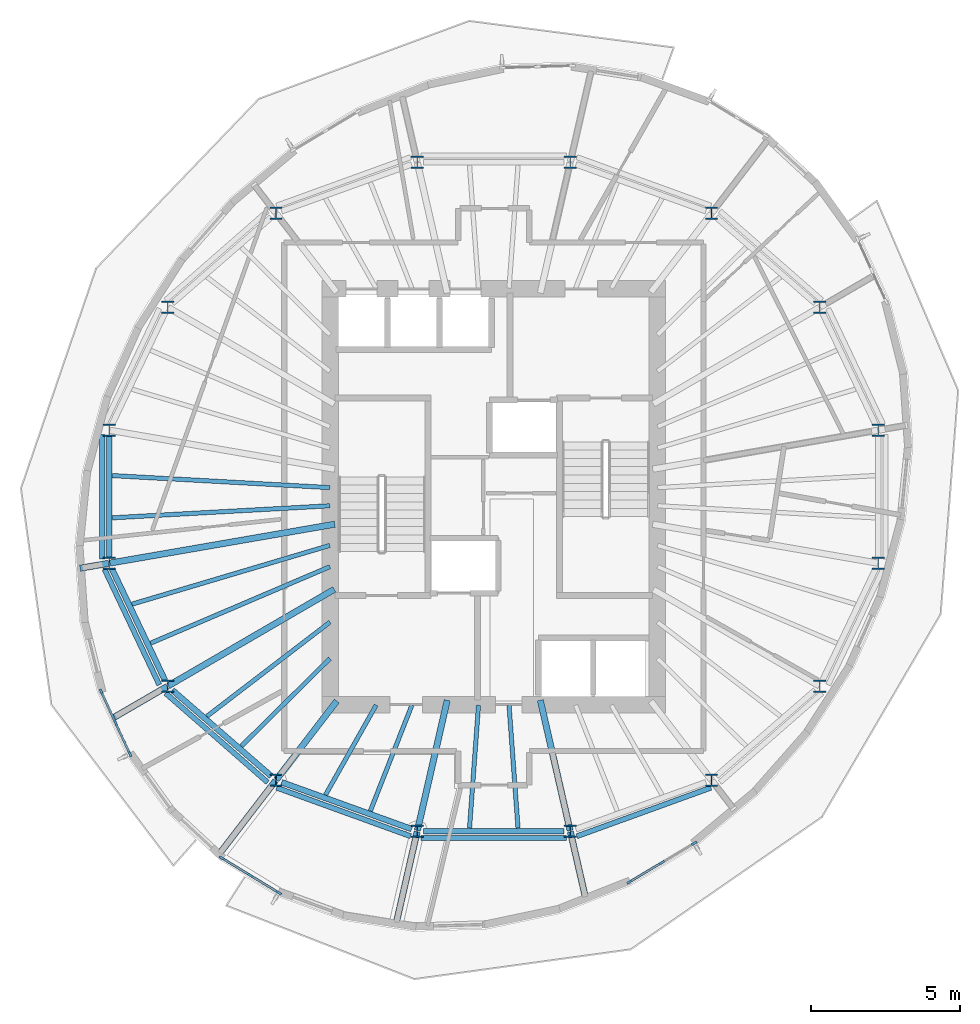
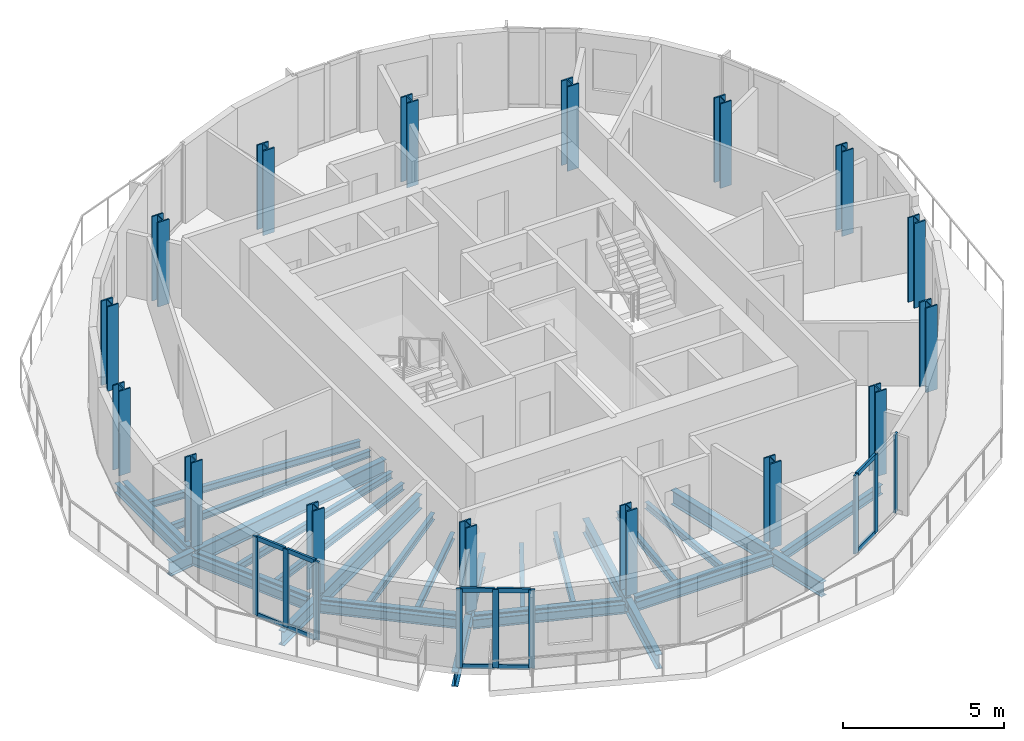
# One storey, part 1 of 11: 31 beams, 19 members, 16 columns, 3 elements without a shape of their own.
"""IFC4 building model written with IfcOpenShell, lengths in metres."""

import ifcopenshell
import ifcopenshell.guid

model = None  # the IFC model being written
_history = None  # IfcOwnerHistory: only IFC2X3 demands one
_inside = {}  # id of a spatial element -> (the spatial element, [elements in it])
_under = {}  # id of a project, library or spatial element -> (it, [spatial elements below it])
_declared = {}  # id of a project -> (the project, [libraries it declares])
_typed = {}  # id of a type object -> (the type object, [elements of that type])
_made_of = {}  # id of a material, layer set ... -> (it, [elements and type objects made of it])


def new_model(schema):
    """Start an empty IFC model of exactly this schema.

    Asked for "IFC4X3", IfcOpenShell would pick the latest addendum, in which some entities
    have other attributes; the version numbers below select the first issue.
    IFC2X3 requires an IfcOwnerHistory on every rooted entity: one is made here for all.
    """
    global model, _history
    if schema == "IFC4X3":
        model = ifcopenshell.file(schema_version=(4, 3, 0, 0))
    else:
        model = ifcopenshell.file(schema=schema)
    _inside.clear()
    _under.clear()
    _declared.clear()
    _typed.clear()
    _made_of.clear()
    _history = None
    if model.schema == "IFC2X3":
        org = make("IfcOrganization", Name="unknown")
        user = make(
            "IfcPersonAndOrganization",
            ThePerson=make("IfcPerson", FamilyName="unknown"),
            TheOrganization=org,
        )
        app = make(
            "IfcApplication",
            ApplicationDeveloper=org,
            Version="unknown",
            ApplicationFullName="unknown",
            ApplicationIdentifier="unknown",
        )
        _history = make(
            "IfcOwnerHistory",
            OwningUser=user,
            OwningApplication=app,
            ChangeAction="ADDED",
            CreationDate=0,
        )
    return model


def make(cls, **values):
    """One entity of the class cls with the attributes given. An attribute that is None is left unset."""
    return model.create_entity(
        cls, **{name: value for name, value in values.items() if value is not None}
    )


def rooted(cls, **values):
    """An entity with a GlobalId (a new one), such as an element, a storey or a relation."""
    return make(cls, GlobalId=ifcopenshell.guid.new(), OwnerHistory=_history, **values)


def si_unit(unit_type, name, prefix=None):
    """IfcSIUnit, for example si_unit("LENGTHUNIT", "METRE", prefix="MILLI")."""
    return make("IfcSIUnit", UnitType=unit_type, Prefix=prefix, Name=name)


def assignment(units):
    """IfcUnitAssignment: the units of a project."""
    return None if units is None else make("IfcUnitAssignment", Units=units)


def point(xyz):
    """IfcCartesianPoint."""
    return None if xyz is None else make("IfcCartesianPoint", Coordinates=xyz)


def direction(xyz):
    """IfcDirection."""
    return None if xyz is None else make("IfcDirection", DirectionRatios=xyz)


def frame(location, z_axis=None, x_axis=None):
    """IfcAxis2Placement3D, a coordinate frame: its origin and axes. An axis left out is left unset."""
    return make(
        "IfcAxis2Placement3D",
        Location=point(location),
        Axis=direction(z_axis),
        RefDirection=direction(x_axis),
    )


def frame_2d(location, x_axis=None):
    """IfcAxis2Placement2D, a coordinate frame in the plane: its origin and x axis."""
    return make(
        "IfcAxis2Placement2D", Location=point(location), RefDirection=direction(x_axis)
    )


def origin():
    """The frame at (0, 0, 0) with its axes left unset."""
    return frame((0.0, 0.0, 0.0))


def origin_2d():
    """The frame at (0, 0) in the plane with its x axis left unset."""
    return frame_2d((0.0, 0.0))


def place(relative_to, where):
    """IfcLocalPlacement: puts the frame where relative to a parent placement (None: the world)."""
    return make(
        "IfcLocalPlacement", PlacementRelTo=relative_to, RelativePlacement=where
    )


def context(
    kind, dimensions, precision=None, world=None, true_north=None, identifier=None
):
    """IfcGeometricRepresentationContext, for example the 3D "Model" context."""
    return make(
        "IfcGeometricRepresentationContext",
        ContextIdentifier=identifier,
        ContextType=kind,
        CoordinateSpaceDimension=dimensions,
        Precision=precision,
        WorldCoordinateSystem=world,
        TrueNorth=true_north,
    )


def subcontext(parent, identifier, kind, view, scale=None):
    """IfcGeometricRepresentationSubContext, for example "Body" below "Model"."""
    return make(
        "IfcGeometricRepresentationSubContext",
        ContextIdentifier=identifier,
        ContextType=kind,
        ParentContext=parent,
        TargetScale=scale,
        TargetView=view,
    )


def project(units=None, contexts=None):
    """IfcProject with its units and contexts."""
    return rooted(
        "IfcProject",
        Name="project",
        RepresentationContexts=contexts,
        UnitsInContext=assignment(units),
    )


def spatial(cls, under=None, at=None, **own):
    """A site, building, storey or space (cls), placed at a placement, below another one or the project."""
    s = rooted(cls, ObjectPlacement=at, **own)
    if under is not None:
        _under.setdefault(under.id(), (under, []))[1].append(s)
    return s


def profile(cls, at=None, kind="AREA", **sizes):
    """A parametric profile (cls). Its sizes go by their IFC names, for example OverallWidth=200.0."""
    return make(cls, ProfileType=kind, Position=at, **sizes)


def rectangle(**sizes):
    """IfcRectangleProfileDef."""
    return profile("IfcRectangleProfileDef", **sizes)


def i_section(**sizes):
    """IfcIShapeProfileDef."""
    return profile("IfcIShapeProfileDef", **sizes)


def extrude(swept, where, along, depth):
    """IfcExtrudedAreaSolid: the profile swept, set in the frame where, extruded along a direction by depth."""
    return make(
        "IfcExtrudedAreaSolid",
        SweptArea=swept,
        Position=where,
        ExtrudedDirection=direction(along),
        Depth=depth,
    )


def shape(context_of_items, identifier, shape_type, items):
    """IfcShapeRepresentation: the items that make up one representation, for example the "Body"."""
    return make(
        "IfcShapeRepresentation",
        ContextOfItems=context_of_items,
        RepresentationIdentifier=identifier,
        RepresentationType=shape_type,
        Items=items,
    )


def material(Name=None, Category=None):
    """IfcMaterial."""
    return make("IfcMaterial", Name=Name, Category=Category)


def material_profile(
    of_material, cross_section, Name=None, Category=None, Priority=None
):
    """IfcMaterialProfile: a cross section and its material."""
    return make(
        "IfcMaterialProfile",
        Name=Name,
        Material=of_material,
        Profile=cross_section,
        Priority=Priority,
        Category=Category,
    )


def profile_set(profiles, Name=None, composite=None):
    """IfcMaterialProfileSet."""
    return make(
        "IfcMaterialProfileSet",
        Name=Name,
        MaterialProfiles=profiles,
        CompositeProfile=composite,
    )


def made_of(thing, what):
    """Note that an element or type object is made of a material, layer set ...; save() writes the relation."""
    if what is not None:
        _made_of.setdefault(what.id(), (what, []))[1].append(thing)
    return thing


def type_object(cls, material=None, **own):
    """A type object (cls), such as IfcWallType, which elements share."""
    return made_of(rooted(cls, **own), material)


def element(
    cls,
    number,
    at=None,
    inside=None,
    cuts=None,
    type_object=None,
    material=None,
    context=None,
    identifier="Body",
    shape_type=None,
    held_by="IfcProductDefinitionShape",
    body=None,
    shapes=None,
    **own,
):
    """One element of the class cls, such as IfcWall. Its Tag is "e" and its number.

    at: its placement. inside: the storey or other place that contains it. cuts: it is an
    opening in that element (IfcRelVoidsElement). A single representation is given by context,
    identifier, shape_type and body (its items); several are given by shapes. held_by: the class
    of the entity that holds the representations. save() writes the other relations.
    """
    e = rooted(cls, Tag="e%d" % number, ObjectPlacement=at, **own)
    if body is not None:
        shapes = [shape(context, identifier, shape_type, body)]
    if shapes is not None:
        e.Representation = make(held_by, Representations=shapes)
    if inside is not None:
        _inside.setdefault(inside.id(), (inside, []))[1].append(e)
    if cuts is not None:
        rooted(
            "IfcRelVoidsElement", RelatingBuildingElement=cuts, RelatedOpeningElement=e
        )
    if type_object is not None:
        _typed.setdefault(type_object.id(), (type_object, []))[1].append(e)
    return made_of(e, material)


def aggregate(whole, parts):
    """IfcRelAggregates: a whole, such as a stair, and the parts it consists of."""
    return rooted("IfcRelAggregates", RelatingObject=whole, RelatedObjects=parts)


def save(model, path):
    """Write the relations noted so far, then the file.

    IfcRelAggregates (storeys below a building ...), IfcRelContainedInSpatialStructure (elements
    in a storey), IfcRelDefinesByType, IfcRelAssociatesMaterial and IfcRelDeclares: one each for
    every whole, place, type object, material and project.
    """
    for whole, parts in _under.values():
        aggregate(whole, parts)
    for where, things in _inside.values():
        rooted(
            "IfcRelContainedInSpatialStructure",
            RelatedElements=things,
            RelatingStructure=where,
        )
    for kind, things in _typed.values():
        rooted("IfcRelDefinesByType", RelatedObjects=things, RelatingType=kind)
    for what, things in _made_of.values():
        rooted("IfcRelAssociatesMaterial", RelatedObjects=things, RelatingMaterial=what)
    for by, libraries in _declared.values():
        rooted("IfcRelDeclares", RelatingContext=by, RelatedDefinitions=libraries)
    model.write(path)


model = new_model("IFC4")

# Units and contexts
model_context = context("Model", 3, precision=1e-05, world=origin(), true_north=direction((0.0, 1.0)))
body_context = subcontext(model_context, "Body", "Model", "MODEL_VIEW")
ifc_project = project(units=[si_unit("LENGTHUNIT", "METRE"), si_unit("AREAUNIT", "SQUARE_METRE"), si_unit("VOLUMEUNIT", "CUBIC_METRE"), si_unit("PLANEANGLEUNIT", "RADIAN"), si_unit("MASSUNIT", "GRAM", prefix="KILO")], contexts=[model_context])

# Site, building, storey
site_placement = place(None, origin())
site = spatial("IfcSite", under=ifc_project, at=site_placement, CompositionType="ELEMENT")
building_placement = place(site_placement, origin())
building = spatial("IfcBuilding", under=site, at=building_placement, Name="Veldorim Arch Residences", CompositionType="ELEMENT")
storey_placement = place(building_placement, frame((0.0, 0.0, 211.0400390625)))
storey = spatial("IfcBuildingStorey", under=building, at=storey_placement, Name="L63", CompositionType="ELEMENT", Elevation=211.0400390625)

# Columns
ifc_material_1 = material(Name="Steel S460", Category="steel")
ifc_material_profile_1 = material_profile(ifc_material_1, i_section(OverallWidth=0.406982421875, OverallDepth=0.4189453125, WebThickness=0.030517578125, FlangeThickness=0.04931640625, at=origin_2d()), Name="UC356x406x393")
ifc_profile_set_1 = profile_set([ifc_material_profile_1], Name="Steel S460")
column_type = type_object("IfcColumnType", Name="Structural Column UC356x406x393", PredefinedType="COLUMN", material=ifc_profile_set_1)
for number, where, z_axis, x_axis, name in (
    (1, (44.9462890625, 26.239501953125, 0.0), (0.0, 0.0, 1.0), (1.0, 0.0, 0.0), "L63 TC-Z4-01 perimeter column"),
    (2, (42.975341796875, 30.3779296875, 0.0), (0.0, 0.0, 1.0), (1.0, 0.0, 0.0), "L63 TC-Z4-02 perimeter column"),
    (3, (39.33349609375, 33.54541015625, 0.0), (0.0, 0.0, 1.0), (1.0, 0.0, 0.0), "L63 TC-Z4-03 perimeter column"),
    (4, (34.5751953125, 35.259521484375, 0.0), (0.0, 0.0, 1.0), (1.0, 0.0, 0.0), "L63 TC-Z4-04 perimeter column"),
    (5, (29.4248046875, 35.259521484375, 0.0), (0.0, 0.0, 1.0), (1.0, 0.0, 0.0), "L63 TC-Z4-05 perimeter column"),
    (6, (24.66650390625, 33.54541015625, 0.0), (0.0, 0.0, 1.0), (1.0, 0.0, 0.0), "L63 TC-Z4-06 perimeter column"),
    (7, (21.024658203125, 30.3779296875, 0.0), (0.0, 0.0, 1.0), (1.0, 0.0, 0.0), "L63 TC-Z4-07 perimeter column"),
    (8, (19.0537109375, 26.239501953125, 0.0), (0.0, 0.0, 1.0), (1.0, 0.0, 0.0), "L63 TC-Z4-08 perimeter column"),
    (9, (19.0537109375, 21.760498046875, 0.0), (0.0, 0.0, 1.0), (1.0, 0.0, 0.0), "L63 TC-Z4-09 perimeter column"),
    (10, (21.024658203125, 17.6220703125, 0.0), (0.0, 0.0, 1.0), (1.0, 0.0, 0.0), "L63 TC-Z4-10 perimeter column"),
    (11, (24.66650390625, 14.45458984375, 0.0), (0.0, 0.0, 1.0), (1.0, 0.0, 0.0), "L63 TC-Z4-11 perimeter column"),
    (12, (29.4248046875, 12.740478515625, 0.0), (0.0, 0.0, 1.0), (1.0, 0.0, 0.0), "L63 TC-Z4-12 perimeter column"),
    (13, (34.5751953125, 12.740478515625, 0.0), (0.0, 0.0, 1.0), (1.0, 0.0, 0.0), "L63 TC-Z4-13 perimeter column"),
    (14, (39.33349609375, 14.45458984375, 0.0), (0.0, 0.0, 1.0), (1.0, 0.0, 0.0), "L63 TC-Z4-14 perimeter column"),
    (15, (42.975341796875, 17.6220703125, 0.0), (0.0, 0.0, 1.0), (1.0, 0.0, 0.0), "L63 TC-Z4-15 perimeter column"),
    (16, (44.9462890625, 21.760498046875, 0.0), (0.0, 0.0, 1.0), (1.0, 0.0, 0.0), "L63 TC-Z4-16 perimeter column"),
):
    element("IfcColumn", number, at=place(storey_placement, frame(where, z_axis=z_axis, x_axis=x_axis)), inside=storey, type_object=column_type, Name=name, PredefinedType="COLUMN", context=body_context, shape_type="SweptSolid", body=[
        extrude(i_section(OverallWidth=0.406982421875, OverallDepth=0.4189453125, WebThickness=0.030517578125, FlangeThickness=0.04931640625, at=origin_2d()), origin(), (0.0, 0.0, 1.0), 3.199951171875),
    ])

# Beams
ifc_material_2 = material(Name="Steel S355", Category="steel")
ifc_material_profile_2 = material_profile(ifc_material_2, i_section(OverallWidth=0.2119140625, OverallDepth=0.54443359375, WebThickness=0.0126953125, FlangeThickness=0.021240234375, at=origin_2d()), Name="UB533x210x122")
ifc_profile_set_2 = profile_set([ifc_material_profile_2], Name="Steel S355")
beam_type_1 = type_object("IfcBeamType", Name="Structural Steel Beam UB533x210x122", PredefinedType="BEAM", material=ifc_profile_set_2)
beam_1_placement = place(storey_placement, frame((26.647705078125, 23.07421875, -0.512451171875), z_axis=(-0.985364974081, -0.170457818401, 0.0), x_axis=(0.170457818401, -0.985364974081, 0.0)))
element("IfcBeam", 17, at=beam_1_placement, inside=storey, type_object=beam_type_1, Name="L63 radial floor girder 09", PredefinedType="BEAM", context=body_context, shape_type="SweptSolid", body=[
    extrude(i_section(OverallWidth=0.2119140625, OverallDepth=0.54443359375, WebThickness=0.0126953125, FlangeThickness=0.021240234375, at=origin_2d()), origin(), (0.0, 0.0, 1.0), 7.68701171875),
])
beam_2_placement = place(storey_placement, frame((19.033935546875, 21.757080078125, -0.512451171875), z_axis=(-0.985356152623, -0.170508804723, 0.0), x_axis=(0.170508804723, -0.985356152623, 0.0)))
element("IfcBeam", 18, at=beam_2_placement, inside=storey, type_object=beam_type_1, Name="L63 radial edge cantilever girder 09", PredefinedType="BEAM", context=body_context, shape_type="SweptSolid", body=[
    extrude(i_section(OverallWidth=0.2119140625, OverallDepth=0.54443359375, WebThickness=0.0126953125, FlangeThickness=0.021240234375, at=origin_2d()), origin(), (0.0, 0.0, 1.0), 0.97802734375),
])
beam_3_placement = place(storey_placement, frame((26.629638671875, 20.87939453125, -0.512451171875), z_axis=(-0.864595736304, -0.502468121142, 0.0), x_axis=(0.502468121142, -0.864595736304, 0.0)))
element("IfcBeam", 19, at=beam_3_placement, inside=storey, type_object=beam_type_1, Name="L63 radial floor girder 10", PredefinedType="BEAM", context=body_context, shape_type="SweptSolid", body=[
    extrude(i_section(OverallWidth=0.2119140625, OverallDepth=0.54443359375, WebThickness=0.0126953125, FlangeThickness=0.021240234375, at=origin_2d()), origin(), (0.0, 0.0, 1.0), 6.462646484375),
])
beam_4_placement = place(storey_placement, frame((21.00732421875, 17.612060546875, -0.512451171875), z_axis=(-0.864602636906, -0.502456247105, 0.0), x_axis=(0.502456247105, -0.864602636906, 0.0)))
element("IfcBeam", 20, at=beam_4_placement, inside=storey, type_object=beam_type_1, Name="L63 radial edge cantilever girder 10", PredefinedType="BEAM", context=body_context, shape_type="SweptSolid", body=[
    extrude(i_section(OverallWidth=0.2119140625, OverallDepth=0.54443359375, WebThickness=0.0126953125, FlangeThickness=0.021240234375, at=origin_2d()), origin(), (0.0, 0.0, 1.0), 2.09326171875),
])
beam_5_placement = place(storey_placement, frame((26.71337890625, 17.118896484375, -0.512451171875), z_axis=(-0.609258442308, -0.792971721108, 0.0), x_axis=(0.792971721108, -0.609258442308, 0.0)))
element("IfcBeam", 21, at=beam_5_placement, inside=storey, type_object=beam_type_1, Name="L63 radial floor girder 11", PredefinedType="BEAM", context=body_context, shape_type="SweptSolid", body=[
    extrude(i_section(OverallWidth=0.2119140625, OverallDepth=0.54443359375, WebThickness=0.0126953125, FlangeThickness=0.021240234375, at=origin_2d()), origin(), (0.0, 0.0, 1.0), 3.339599609375),
])
beam_6_placement = place(storey_placement, frame((24.654296875, 14.438720703125, -0.512451171875), z_axis=(-0.609220133564, -0.793001153126, 0.0), x_axis=(0.793001153126, -0.609220133564, 0.0)))
element("IfcBeam", 22, at=beam_6_placement, inside=storey, type_object=beam_type_1, Name="L63 radial edge cantilever girder 11", PredefinedType="BEAM", context=body_context, shape_type="SweptSolid", body=[
    extrude(i_section(OverallWidth=0.2119140625, OverallDepth=0.54443359375, WebThickness=0.0126953125, FlangeThickness=0.021240234375, at=origin_2d()), origin(), (0.0, 0.0, 1.0), 3.151123046875),
])
beam_7_placement = place(storey_placement, frame((30.432373046875, 17.146240234375, -0.512451171875), z_axis=(-0.222952976993, -0.97482920045, 0.0), x_axis=(0.97482920045, -0.222952976993, 0.0)))
element("IfcBeam", 23, at=beam_7_placement, inside=storey, type_object=beam_type_1, Name="L63 radial floor girder 12", PredefinedType="BEAM", context=body_context, shape_type="SweptSolid", body=[
    extrude(i_section(OverallWidth=0.2119140625, OverallDepth=0.54443359375, WebThickness=0.0126953125, FlangeThickness=0.021240234375, at=origin_2d()), origin(), (0.0, 0.0, 1.0), 4.49951171875),
])
beam_8_placement = place(storey_placement, frame((29.42041015625, 12.72119140625, -0.512451171875), z_axis=(-0.22295712551, -0.974828251634, 0.0), x_axis=(0.974828251634, -0.22295712551, 0.0)))
element("IfcBeam", 24, at=beam_8_placement, inside=storey, type_object=beam_type_1, Name="L63 radial edge cantilever girder 12", PredefinedType="BEAM", context=body_context, shape_type="SweptSolid", body=[
    extrude(i_section(OverallWidth=0.2119140625, OverallDepth=0.54443359375, WebThickness=0.0126953125, FlangeThickness=0.021240234375, at=origin_2d()), origin(), (0.0, 0.0, 1.0), 3.206298828125),
])
beam_9_placement = place(storey_placement, frame((33.567626953125, 17.146240234375, -0.512451171875), z_axis=(0.222952976993, -0.97482920045, 0.0), x_axis=(0.97482920045, 0.222952976993, 0.0)))
element("IfcBeam", 25, at=beam_9_placement, inside=storey, type_object=beam_type_1, Name="L63 radial floor girder 13", PredefinedType="BEAM", context=body_context, shape_type="SweptSolid", body=[
    extrude(i_section(OverallWidth=0.2119140625, OverallDepth=0.54443359375, WebThickness=0.0126953125, FlangeThickness=0.021240234375, at=origin_2d()), origin(), (0.0, 0.0, 1.0), 4.49951171875),
])
beam_10_placement = place(storey_placement, frame((34.57958984375, 12.72119140625, -0.512451171875), z_axis=(0.222989981251, -0.974820736475, 0.0), x_axis=(0.974820736475, 0.222989981251, 0.0)))
element("IfcBeam", 26, at=beam_10_placement, inside=storey, type_object=beam_type_1, Name="L63 radial edge cantilever girder 13", PredefinedType="BEAM", context=body_context, shape_type="SweptSolid", body=[
    extrude(i_section(OverallWidth=0.2119140625, OverallDepth=0.54443359375, WebThickness=0.0126953125, FlangeThickness=0.021240234375, at=origin_2d()), origin(), (0.0, 0.0, 1.0), 2.32763671875),
])
ifc_material_3 = material(Name="Steel S355", Category="steel")
ifc_material_profile_3 = material_profile(ifc_material_3, i_section(OverallWidth=0.146484375, OverallDepth=0.256103515625, WebThickness=0.00634765625, FlangeThickness=0.010986328125, at=origin_2d()), Name="UB254x146x37")
ifc_profile_set_3 = profile_set([ifc_material_profile_3], Name="Steel S355")
beam_type_2 = type_object("IfcBeamType", Name="Structural Steel Joist UB254x146x37", PredefinedType="JOIST", material=ifc_profile_set_3)
for number, where, z_axis, x_axis, name in (
    (27, (26.47998046875, 24.3056640625, -0.367919921875), (-0.998472000884, 0.055259962464, 0.0), (-0.055259962464, -0.998472000884, 0.0), "L63 secondary radial floor joist 08-1"),
    (28, (26.47998046875, 23.6943359375, -0.367919921875), (-0.998472000884, -0.055259962464, 0.0), (0.055259962464, -0.998472000884, 0.0), "L63 secondary radial floor joist 08-2"),
):
    element("IfcBeam", number, at=place(storey_placement, frame(where, z_axis=z_axis, x_axis=x_axis)), inside=storey, type_object=beam_type_2, Name=name, PredefinedType="JOIST", context=body_context, shape_type="SweptSolid", body=[
        extrude(i_section(OverallWidth=0.146484375, OverallDepth=0.256103515625, WebThickness=0.00634765625, FlangeThickness=0.010986328125, at=origin_2d()), origin(), (0.0, 0.0, 1.0), 7.33837890625),
    ])
beam_11_placement = place(storey_placement, frame((26.480712890625, 22.360595703125, -0.367919921875), z_axis=(-0.958594432792, -0.284774846889, 0.0), x_axis=(0.284774846889, -0.958594432792, 0.0)))
element("IfcBeam", 29, at=beam_11_placement, inside=storey, type_object=beam_type_2, Name="L63 secondary radial floor joist 09-1", PredefinedType="JOIST", context=body_context, shape_type="SweptSolid", body=[
    extrude(i_section(OverallWidth=0.146484375, OverallDepth=0.256103515625, WebThickness=0.00634765625, FlangeThickness=0.010986328125, at=origin_2d()), origin(), (0.0, 0.0, 1.0), 6.949462890625),
])
beam_12_placement = place(storey_placement, frame((26.481689453125, 21.644287109375, -0.367919921875), z_axis=(-0.919725161652, -0.392562895629, 0.0), x_axis=(0.392562895629, -0.919725161652, 0.0)))
element("IfcBeam", 30, at=beam_12_placement, inside=storey, type_object=beam_type_2, Name="L63 secondary radial floor joist 09-2", PredefinedType="JOIST", context=body_context, shape_type="SweptSolid", body=[
    extrude(i_section(OverallWidth=0.146484375, OverallDepth=0.256103515625, WebThickness=0.00634765625, FlangeThickness=0.010986328125, at=origin_2d()), origin(), (0.0, 0.0, 1.0), 6.5625),
])
beam_13_placement = place(storey_placement, frame((26.484130859375, 19.777099609375, -0.367919921875), z_axis=(-0.794013672216, -0.607899899929, 0.0), x_axis=(0.607899899929, -0.794013672216, 0.0)))
element("IfcBeam", 31, at=beam_13_placement, inside=storey, type_object=beam_type_2, Name="L63 secondary radial floor joist 10-1", PredefinedType="JOIST", context=body_context, shape_type="SweptSolid", body=[
    extrude(i_section(OverallWidth=0.146484375, OverallDepth=0.256103515625, WebThickness=0.00634765625, FlangeThickness=0.010986328125, at=origin_2d()), origin(), (0.0, 0.0, 1.0), 5.217041015625),
])
beam_14_placement = place(storey_placement, frame((26.48583984375, 18.55224609375, -0.367919921875), z_axis=(-0.711396725432, -0.702790650937, 0.0), x_axis=(0.702790650937, -0.711396725432, 0.0)))
element("IfcBeam", 32, at=beam_14_placement, inside=storey, type_object=beam_type_2, Name="L63 secondary radial floor joist 10-2", PredefinedType="JOIST", context=body_context, shape_type="SweptSolid", body=[
    extrude(i_section(OverallWidth=0.146484375, OverallDepth=0.256103515625, WebThickness=0.00634765625, FlangeThickness=0.010986328125, at=origin_2d()), origin(), (0.0, 0.0, 1.0), 4.198486328125),
])
beam_15_placement = place(storey_placement, frame((28.039794921875, 16.982666015625, -0.367919921875), z_axis=(-0.491452469585, -0.870904397818, 0.0), x_axis=(0.870904397818, -0.491452469585, 0.0)))
element("IfcBeam", 33, at=beam_15_placement, inside=storey, type_object=beam_type_2, Name="L63 secondary radial floor joist 11-1", PredefinedType="JOIST", context=body_context, shape_type="SweptSolid", body=[
    extrude(i_section(OverallWidth=0.146484375, OverallDepth=0.256103515625, WebThickness=0.00634765625, FlangeThickness=0.010986328125, at=origin_2d()), origin(), (0.0, 0.0, 1.0), 3.472412109375),
])
beam_16_placement = place(storey_placement, frame((29.24365234375, 16.9814453125, -0.367919921875), z_axis=(-0.365581383042, -0.930779379001, 0.0), x_axis=(0.930779379001, -0.365581383042, 0.0)))
element("IfcBeam", 34, at=beam_16_placement, inside=storey, type_object=beam_type_2, Name="L63 secondary radial floor joist 11-2", PredefinedType="JOIST", context=body_context, shape_type="SweptSolid", body=[
    extrude(i_section(OverallWidth=0.146484375, OverallDepth=0.256103515625, WebThickness=0.00634765625, FlangeThickness=0.010986328125, at=origin_2d()), origin(), (0.0, 0.0, 1.0), 3.83056640625),
])
for number, where, z_axis, x_axis, name in (
    (35, (31.486083984375, 16.97998046875, -0.367919921875), (-0.072985625899, -0.997332992742, 0.0), (0.997332992742, -0.072985625899, 0.0), "L63 secondary radial floor joist 12-1"),
    (36, (32.513916015625, 16.97998046875, -0.367919921875), (0.072985625899, -0.997332992742, 0.0), (0.997332992742, 0.072985625899, 0.0), "L63 secondary radial floor joist 12-2"),
):
    element("IfcBeam", number, at=place(storey_placement, frame(where, z_axis=z_axis, x_axis=x_axis)), inside=storey, type_object=beam_type_2, Name=name, PredefinedType="JOIST", context=body_context, shape_type="SweptSolid", body=[
        extrude(i_section(OverallWidth=0.146484375, OverallDepth=0.256103515625, WebThickness=0.00634765625, FlangeThickness=0.010986328125, at=origin_2d()), origin(), (0.0, 0.0, 1.0), 4.151123046875),
    ])
ifc_material_4 = material(Name="Steel S355", Category="steel")
ifc_material_profile_4 = material_profile(ifc_material_4, i_section(OverallWidth=0.172119140625, OverallDepth=0.35791015625, WebThickness=0.008056640625, FlangeThickness=0.012939453125, at=origin_2d()), Name="UB356x171x57")
ifc_profile_set_4 = profile_set([ifc_material_profile_4], Name="Steel S355")
beam_type_3 = type_object("IfcBeamType", Name="Structural Steel Spandrel UB356x171x57", PredefinedType="SPANDREL", material=ifc_profile_set_4)
beam_17_placement = place(storey_placement, frame((18.817138671875, 26.101318359375, -0.43896484375), z_axis=(0.0, -1.0, 0.0), x_axis=(1.0, 0.0, 0.0)))
element("IfcBeam", 37, at=beam_17_placement, inside=storey, type_object=beam_type_3, Name="L63 perimeter chord spandrel beam 08", PredefinedType="SPANDREL", context=body_context, shape_type="SweptSolid", body=[
    extrude(i_section(OverallWidth=0.172119140625, OverallDepth=0.35791015625, WebThickness=0.008056640625, FlangeThickness=0.012939453125, at=origin_2d()), origin(), (0.0, 0.0, 1.0), 4.20263671875),
])
beam_18_placement = place(storey_placement, frame((18.893798828125, 21.5576171875, -0.43896484375), z_axis=(0.428468601304, -0.903556670994, 0.0), x_axis=(0.903556670994, 0.428468601304, 0.0)))
element("IfcBeam", 38, at=beam_18_placement, inside=storey, type_object=beam_type_3, Name="L63 perimeter chord spandrel beam 09", PredefinedType="SPANDREL", context=body_context, shape_type="SweptSolid", body=[
    extrude(i_section(OverallWidth=0.172119140625, OverallDepth=0.35791015625, WebThickness=0.008056640625, FlangeThickness=0.012939453125, at=origin_2d()), origin(), (0.0, 0.0, 1.0), 4.31005859375),
])
beam_19_placement = place(storey_placement, frame((20.951904296875, 17.3837890625, -0.43896484375), z_axis=(0.752868439096, -0.658171036596, 0.0), x_axis=(0.658171036596, 0.752868439096, 0.0)))
element("IfcBeam", 39, at=beam_19_placement, inside=storey, type_object=beam_type_3, Name="L63 perimeter chord spandrel beam 10", PredefinedType="SPANDREL", context=body_context, shape_type="SweptSolid", body=[
    extrude(i_section(OverallWidth=0.172119140625, OverallDepth=0.35791015625, WebThickness=0.008056640625, FlangeThickness=0.012939453125, at=origin_2d()), origin(), (0.0, 0.0, 1.0), 4.560791015625),
])
beam_20_placement = place(storey_placement, frame((24.688720703125, 14.203369140625, -0.43896484375), z_axis=(0.940178823137, -0.340681347486, 0.0), x_axis=(0.340681347486, 0.940178823137, 0.0)))
element("IfcBeam", 40, at=beam_20_placement, inside=storey, type_object=beam_type_3, Name="L63 perimeter chord spandrel beam 11", PredefinedType="SPANDREL", context=body_context, shape_type="SweptSolid", body=[
    extrude(i_section(OverallWidth=0.172119140625, OverallDepth=0.35791015625, WebThickness=0.008056640625, FlangeThickness=0.012939453125, at=origin_2d()), origin(), (0.0, 0.0, 1.0), 4.80126953125),
])
beam_21_placement = place(storey_placement, frame((29.55029296875, 12.506591796875, -0.43896484375), z_axis=(1.0, 0.0, 0.0), x_axis=(0.0, 1.0, 0.0)))
element("IfcBeam", 41, at=beam_21_placement, inside=storey, type_object=beam_type_3, Name="L63 perimeter chord spandrel beam 12", PredefinedType="SPANDREL", context=body_context, shape_type="SweptSolid", body=[
    extrude(i_section(OverallWidth=0.172119140625, OverallDepth=0.35791015625, WebThickness=0.008056640625, FlangeThickness=0.012939453125, at=origin_2d()), origin(), (0.0, 0.0, 1.0), 4.8994140625),
])
beam_22_placement = place(storey_placement, frame((34.797119140625, 12.567626953125, -0.43896484375), z_axis=(0.940178823137, 0.340681347486, 0.0), x_axis=(-0.340681347486, 0.940178823137, 0.0)))
element("IfcBeam", 42, at=beam_22_placement, inside=storey, type_object=beam_type_3, Name="L63 perimeter chord spandrel beam 13", PredefinedType="SPANDREL", context=body_context, shape_type="SweptSolid", body=[
    extrude(i_section(OverallWidth=0.172119140625, OverallDepth=0.35791015625, WebThickness=0.008056640625, FlangeThickness=0.012939453125, at=origin_2d()), origin(), (0.0, 0.0, 1.0), 4.80126953125),
])
ifc_material_5 = material(Name="Steel S355", Category="steel")
ifc_material_profile_5 = material_profile(ifc_material_5, i_section(OverallWidth=0.19140625, OverallDepth=0.4599609375, WebThickness=0.010009765625, FlangeThickness=0.01611328125, at=origin_2d()), Name="UB457x191x82")
ifc_profile_set_5 = profile_set([ifc_material_profile_5], Name="Steel S355")
beam_type_4 = type_object("IfcBeamType", Name="Structural Steel Spandrel UB457x191x82", PredefinedType="SPANDREL", material=ifc_profile_set_5)
beam_23_placement = place(storey_placement, frame((19.0537109375, 26.0361328125, -0.469970703125), z_axis=(0.0, -1.0, 0.0), x_axis=(1.0, 0.0, 0.0)))
element("IfcBeam", 43, at=beam_23_placement, inside=storey, type_object=beam_type_4, Name="L63 perimeter ring tie beam 08", PredefinedType="SPANDREL", context=body_context, shape_type="SweptSolid", body=[
    extrude(i_section(OverallWidth=0.19140625, OverallDepth=0.4599609375, WebThickness=0.010009765625, FlangeThickness=0.01611328125, at=origin_2d()), origin(), (0.0, 0.0, 1.0), 4.072265625),
])
beam_24_placement = place(storey_placement, frame((19.14111328125, 21.57666015625, -0.469970703125), z_axis=(0.429992574394, -0.902832424078, 0.0), x_axis=(0.902832424078, 0.429992574394, 0.0)))
element("IfcBeam", 44, at=beam_24_placement, inside=storey, type_object=beam_type_4, Name="L63 perimeter ring tie beam 09", PredefinedType="SPANDREL", context=body_context, shape_type="SweptSolid", body=[
    extrude(i_section(OverallWidth=0.19140625, OverallDepth=0.4599609375, WebThickness=0.010009765625, FlangeThickness=0.01611328125, at=origin_2d()), origin(), (0.0, 0.0, 1.0), 4.176513671875),
])
beam_25_placement = place(storey_placement, frame((21.17822265625, 17.488525390625, -0.469970703125), z_axis=(0.754534162517, -0.656260769508, 0.0), x_axis=(0.656260769508, 0.754534162517, 0.0)))
element("IfcBeam", 45, at=beam_25_placement, inside=storey, type_object=beam_type_4, Name="L63 perimeter ring tie beam 10", PredefinedType="SPANDREL", context=body_context, shape_type="SweptSolid", body=[
    extrude(i_section(OverallWidth=0.19140625, OverallDepth=0.4599609375, WebThickness=0.010009765625, FlangeThickness=0.01611328125, at=origin_2d()), origin(), (0.0, 0.0, 1.0), 4.419677734375),
])
beam_26_placement = place(storey_placement, frame((24.85791015625, 14.3857421875, -0.469970703125), z_axis=(0.940819134121, -0.338909068736, 0.0), x_axis=(0.338909068736, 0.940819134121, 0.0)))
element("IfcBeam", 46, at=beam_26_placement, inside=storey, type_object=beam_type_4, Name="L63 perimeter ring tie beam 11", PredefinedType="SPANDREL", context=body_context, shape_type="SweptSolid", body=[
    extrude(i_section(OverallWidth=0.19140625, OverallDepth=0.4599609375, WebThickness=0.010009765625, FlangeThickness=0.01611328125, at=origin_2d()), origin(), (0.0, 0.0, 1.0), 4.650634765625),
])
beam_27_placement = place(storey_placement, frame((29.62841796875, 12.740478515625, -0.469970703125), z_axis=(1.0, 0.0, 0.0), x_axis=(0.0, 1.0, 0.0)))
element("IfcBeam", 47, at=beam_27_placement, inside=storey, type_object=beam_type_4, Name="L63 perimeter ring tie beam 12", PredefinedType="SPANDREL", context=body_context, shape_type="SweptSolid", body=[
    extrude(i_section(OverallWidth=0.19140625, OverallDepth=0.4599609375, WebThickness=0.010009765625, FlangeThickness=0.01611328125, at=origin_2d()), origin(), (0.0, 0.0, 1.0), 4.7431640625),
])

# Curtain wall, members
ifc_material_6 = material(Name="Aluminium", Category="aluminium")
curtain_wall_type = type_object("IfcCurtainWallType", Name="Zone 4 High-Altitude Unitised Curtain Wall", PredefinedType="NOTDEFINED", material=ifc_material_6)
curtain_wall_1_placement = place(storey_placement, origin())
curtain_wall_1 = element("IfcCurtainWall", 48, at=curtain_wall_1_placement, inside=storey, type_object=curtain_wall_type, Name="L63 unitised curtain wall bay 16", PredefinedType="NOTDEFINED")
ifc_material_7 = material(Name="Aluminium", Category="aluminium")
ifc_material_profile_6 = material_profile(ifc_material_7, rectangle(XDim=0.074951171875, YDim=0.195068359375, at=origin_2d()), Name="ALU_MUL_75x195")
ifc_profile_set_6 = profile_set([ifc_material_profile_6], Name="Aluminium")
member_type_1 = type_object("IfcMemberType", Name="Zone 4 High-Altitude Unitised Curtain Wall Mullion 75x195", PredefinedType="MULLION", material=ifc_profile_set_6)
member_1_placement = place(storey_placement, frame((19.751708984375, 15.333251953125, 0.0), z_axis=(0.0, 0.0, 1.0), x_axis=(-0.908400123828, -0.418101919427, 0.0)))
member_1 = element("IfcMember", 49, at=member_1_placement, type_object=member_type_1, Name="CW-Z4 mullion 1", PredefinedType="MULLION", context=body_context, shape_type="SweptSolid", body=[
    extrude(rectangle(XDim=0.074951171875, YDim=0.195068359375, at=origin_2d()), origin(), (0.0, 0.0, 1.0), 2.9599609375),
])
member_2_placement = place(storey_placement, frame((19.268310546875, 16.3837890625, 0.0), z_axis=(0.0, 0.0, 1.0), x_axis=(-0.908400123828, -0.418101919427, 0.0)))
member_2 = element("IfcMember", 50, at=member_2_placement, type_object=member_type_1, Name="CW-Z4 mullion 2", PredefinedType="MULLION", context=body_context, shape_type="SweptSolid", body=[
    extrude(rectangle(XDim=0.074951171875, YDim=0.195068359375, at=origin_2d()), origin(), (0.0, 0.0, 1.0), 2.9599609375),
])
member_3_placement = place(storey_placement, frame((18.78466796875, 17.434326171875, 0.0), z_axis=(0.0, 0.0, 1.0), x_axis=(-0.908400123828, -0.418101919427, 0.0)))
member_3 = element("IfcMember", 51, at=member_3_placement, type_object=member_type_1, Name="CW-Z4 mullion 3", PredefinedType="MULLION", context=body_context, shape_type="SweptSolid", body=[
    extrude(rectangle(XDim=0.074951171875, YDim=0.195068359375, at=origin_2d()), origin(), (0.0, 0.0, 1.0), 2.9599609375),
])

curtain_wall_2_placement = place(storey_placement, origin())
curtain_wall_2 = element("IfcCurtainWall", 52, at=curtain_wall_2_placement, inside=storey, type_object=curtain_wall_type, Name="L63 unitised curtain wall bay 19", PredefinedType="NOTDEFINED")
member_4_placement = place(storey_placement, frame((24.763427734375, 10.665283203125, 0.0), z_axis=(0.0, 0.0, 1.0), x_axis=(-0.520032918989, -0.854146218846, 0.0)))
member_4 = element("IfcMember", 53, at=member_4_placement, type_object=member_type_1, Name="CW-Z4 mullion 1", PredefinedType="MULLION", context=body_context, shape_type="SweptSolid", body=[
    extrude(rectangle(XDim=0.074951171875, YDim=0.195068359375, at=origin_2d()), origin(), (0.0, 0.0, 1.0), 2.9599609375),
])
member_5_placement = place(storey_placement, frame((23.802734375, 11.250244140625, 0.0), z_axis=(0.0, 0.0, 1.0), x_axis=(-0.520032918989, -0.854146218846, 0.0)))
member_5 = element("IfcMember", 54, at=member_5_placement, type_object=member_type_1, Name="CW-Z4 mullion 2", PredefinedType="MULLION", context=body_context, shape_type="SweptSolid", body=[
    extrude(rectangle(XDim=0.074951171875, YDim=0.195068359375, at=origin_2d()), origin(), (0.0, 0.0, 1.0), 2.9599609375),
])
member_6_placement = place(storey_placement, frame((22.842041015625, 11.835205078125, 0.0), z_axis=(0.0, 0.0, 1.0), x_axis=(-0.520032918989, -0.854146218846, 0.0)))
member_6 = element("IfcMember", 55, at=member_6_placement, type_object=member_type_1, Name="CW-Z4 mullion 3", PredefinedType="MULLION", context=body_context, shape_type="SweptSolid", body=[
    extrude(rectangle(XDim=0.074951171875, YDim=0.195068359375, at=origin_2d()), origin(), (0.0, 0.0, 1.0), 2.9599609375),
])

curtain_wall_3_placement = place(storey_placement, origin())
curtain_wall_3 = element("IfcCurtainWall", 56, at=curtain_wall_3_placement, inside=storey, type_object=curtain_wall_type, Name="L63 unitised curtain wall bay 25", PredefinedType="NOTDEFINED")
member_7_placement = place(storey_placement, frame((38.748291015625, 12.3310546875, 0.0), z_axis=(0.0, 0.0, 1.0), x_axis=(0.512816771325, -0.85849808331, 0.0)))
member_7 = element("IfcMember", 57, at=member_7_placement, type_object=member_type_1, Name="CW-Z4 mullion 1", PredefinedType="MULLION", context=body_context, shape_type="SweptSolid", body=[
    extrude(rectangle(XDim=0.074951171875, YDim=0.195068359375, at=origin_2d()), origin(), (0.0, 0.0, 1.0), 2.9599609375),
])
member_8_placement = place(storey_placement, frame((37.659423828125, 11.6806640625, 0.0), z_axis=(0.0, 0.0, 1.0), x_axis=(0.512816771325, -0.85849808331, 0.0)))
member_8 = element("IfcMember", 58, at=member_8_placement, type_object=member_type_1, Name="CW-Z4 mullion 2", PredefinedType="MULLION", context=body_context, shape_type="SweptSolid", body=[
    extrude(rectangle(XDim=0.074951171875, YDim=0.195068359375, at=origin_2d()), origin(), (0.0, 0.0, 1.0), 2.9599609375),
])
member_9_placement = place(storey_placement, frame((36.570556640625, 11.0302734375, 0.0), z_axis=(0.0, 0.0, 1.0), x_axis=(0.512816771325, -0.85849808331, 0.0)))
member_9 = element("IfcMember", 59, at=member_9_placement, type_object=member_type_1, Name="CW-Z4 mullion 3", PredefinedType="MULLION", context=body_context, shape_type="SweptSolid", body=[
    extrude(rectangle(XDim=0.074951171875, YDim=0.195068359375, at=origin_2d()), origin(), (0.0, 0.0, 1.0), 2.9599609375),
])

# Member
ifc_material_8 = material(Name="Aluminium", Category="aluminium")
ifc_material_profile_7 = material_profile(ifc_material_8, rectangle(XDim=0.074951171875, YDim=0.1650390625, at=origin_2d()), Name="ALU_TRN_75x165")
ifc_profile_set_7 = profile_set([ifc_material_profile_7], Name="Aluminium")
member_type_2 = type_object("IfcMemberType", Name="Zone 4 High-Altitude Unitised Curtain Wall Transom 75x165", PredefinedType="USERDEFINED", material=ifc_profile_set_7)
member_10_placement = place(storey_placement, frame((19.736083984375, 15.367431640625, 0.037353515625), z_axis=(-0.418084469108, 0.908408155341, 0.0), x_axis=(-0.908408155341, -0.418084469108, 0.0)))
member_10 = element("IfcMember", 60, at=member_10_placement, type_object=member_type_2, Name="CW-Z4 transom 1.1", ObjectType="TRANSOM", PredefinedType="USERDEFINED", context=body_context, shape_type="SweptSolid", body=[
    extrude(rectangle(XDim=0.074951171875, YDim=0.1650390625, at=origin_2d()), origin(), (0.0, 0.0, 1.0), 1.08154296875),
])

member_11_placement = place(storey_placement, frame((19.736083984375, 15.367431640625, 2.92236328125), z_axis=(-0.418084469108, 0.908408155341, 0.0), x_axis=(-0.908408155341, -0.418084469108, 0.0)))
member_11 = element("IfcMember", 61, at=member_11_placement, type_object=member_type_2, Name="CW-Z4 transom 1.2", ObjectType="TRANSOM", PredefinedType="USERDEFINED", context=body_context, shape_type="SweptSolid", body=[
    extrude(rectangle(XDim=0.074951171875, YDim=0.1650390625, at=origin_2d()), origin(), (0.0, 0.0, 1.0), 1.08154296875),
])

member_12_placement = place(storey_placement, frame((19.252685546875, 16.41796875, 0.037353515625), z_axis=(-0.418084469108, 0.908408155341, 0.0), x_axis=(-0.908408155341, -0.418084469108, 0.0)))
member_12 = element("IfcMember", 62, at=member_12_placement, type_object=member_type_2, Name="CW-Z4 transom 2.1", ObjectType="TRANSOM", PredefinedType="USERDEFINED", context=body_context, shape_type="SweptSolid", body=[
    extrude(rectangle(XDim=0.074951171875, YDim=0.1650390625, at=origin_2d()), origin(), (0.0, 0.0, 1.0), 1.08154296875),
])

member_13_placement = place(storey_placement, frame((19.252685546875, 16.41796875, 2.92236328125), z_axis=(-0.418084469108, 0.908408155341, 0.0), x_axis=(-0.908408155341, -0.418084469108, 0.0)))
member_13 = element("IfcMember", 63, at=member_13_placement, type_object=member_type_2, Name="CW-Z4 transom 2.2", ObjectType="TRANSOM", PredefinedType="USERDEFINED", context=body_context, shape_type="SweptSolid", body=[
    extrude(rectangle(XDim=0.074951171875, YDim=0.1650390625, at=origin_2d()), origin(), (0.0, 0.0, 1.0), 1.08154296875),
])

aggregate(curtain_wall_1, [member_1, member_2, member_3, member_10, member_11, member_12, member_13])

member_14_placement = place(storey_placement, frame((24.7314453125, 10.684814453125, 0.037353515625), z_axis=(-0.854171610256, 0.519991211688, 0.0), x_axis=(-0.519991211688, -0.854171610256, 0.0)))
member_14 = element("IfcMember", 64, at=member_14_placement, type_object=member_type_2, Name="CW-Z4 transom 1.1", ObjectType="TRANSOM", PredefinedType="USERDEFINED", context=body_context, shape_type="SweptSolid", body=[
    extrude(rectangle(XDim=0.074951171875, YDim=0.1650390625, at=origin_2d()), origin(), (0.0, 0.0, 1.0), 1.0498046875),
])

member_15_placement = place(storey_placement, frame((24.7314453125, 10.684814453125, 2.92236328125), z_axis=(-0.854171610256, 0.519991211688, 0.0), x_axis=(-0.519991211688, -0.854171610256, 0.0)))
member_15 = element("IfcMember", 65, at=member_15_placement, type_object=member_type_2, Name="CW-Z4 transom 1.2", ObjectType="TRANSOM", PredefinedType="USERDEFINED", context=body_context, shape_type="SweptSolid", body=[
    extrude(rectangle(XDim=0.074951171875, YDim=0.1650390625, at=origin_2d()), origin(), (0.0, 0.0, 1.0), 1.0498046875),
])

member_16_placement = place(storey_placement, frame((23.770751953125, 11.269775390625, 0.037353515625), z_axis=(-0.854171610256, 0.519991211688, 0.0), x_axis=(-0.519991211688, -0.854171610256, 0.0)))
member_16 = element("IfcMember", 66, at=member_16_placement, type_object=member_type_2, Name="CW-Z4 transom 2.1", ObjectType="TRANSOM", PredefinedType="USERDEFINED", context=body_context, shape_type="SweptSolid", body=[
    extrude(rectangle(XDim=0.074951171875, YDim=0.1650390625, at=origin_2d()), origin(), (0.0, 0.0, 1.0), 1.0498046875),
])

member_17_placement = place(storey_placement, frame((23.770751953125, 11.269775390625, 2.92236328125), z_axis=(-0.854171610256, 0.519991211688, 0.0), x_axis=(-0.519991211688, -0.854171610256, 0.0)))
member_17 = element("IfcMember", 67, at=member_17_placement, type_object=member_type_2, Name="CW-Z4 transom 2.2", ObjectType="TRANSOM", PredefinedType="USERDEFINED", context=body_context, shape_type="SweptSolid", body=[
    extrude(rectangle(XDim=0.074951171875, YDim=0.1650390625, at=origin_2d()), origin(), (0.0, 0.0, 1.0), 1.0498046875),
])

aggregate(curtain_wall_2, [member_4, member_5, member_6, member_14, member_15, member_16, member_17])

member_18_placement = place(storey_placement, frame((37.627197265625, 11.66162109375, 0.037353515625), z_axis=(-0.858448189445, -0.512900288593, 0.0), x_axis=(0.512900288593, -0.858448189445, 0.0)))
member_18 = element("IfcMember", 68, at=member_18_placement, type_object=member_type_2, Name="CW-Z4 transom 2.1", ObjectType="TRANSOM", PredefinedType="USERDEFINED", context=body_context, shape_type="SweptSolid", body=[
    extrude(rectangle(XDim=0.074951171875, YDim=0.1650390625, at=origin_2d()), origin(), (0.0, 0.0, 1.0), 1.193359375),
])

member_19_placement = place(storey_placement, frame((37.627197265625, 11.66162109375, 2.92236328125), z_axis=(-0.858448189445, -0.512900288593, 0.0), x_axis=(0.512900288593, -0.858448189445, 0.0)))
member_19 = element("IfcMember", 69, at=member_19_placement, type_object=member_type_2, Name="CW-Z4 transom 2.2", ObjectType="TRANSOM", PredefinedType="USERDEFINED", context=body_context, shape_type="SweptSolid", body=[
    extrude(rectangle(XDim=0.074951171875, YDim=0.1650390625, at=origin_2d()), origin(), (0.0, 0.0, 1.0), 1.193359375),
])

aggregate(curtain_wall_3, [member_7, member_8, member_9, member_18, member_19])

save(model, "model.ifc")
